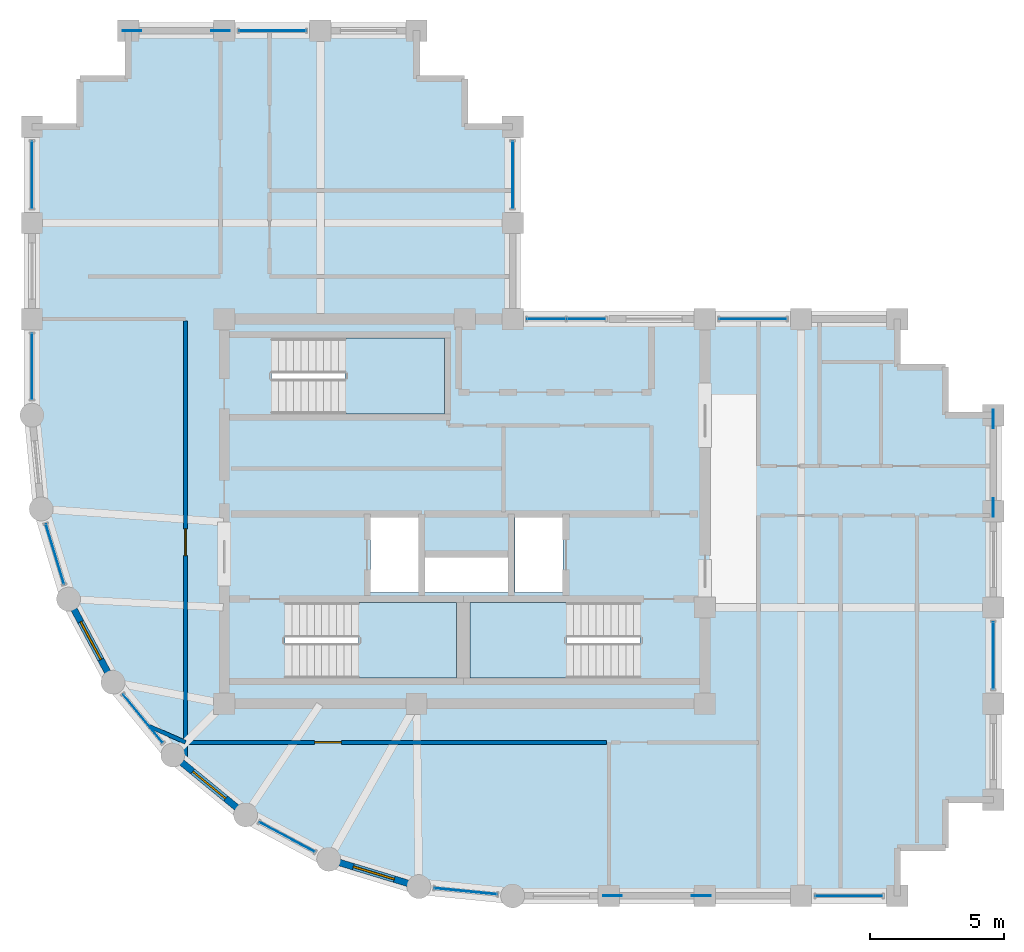
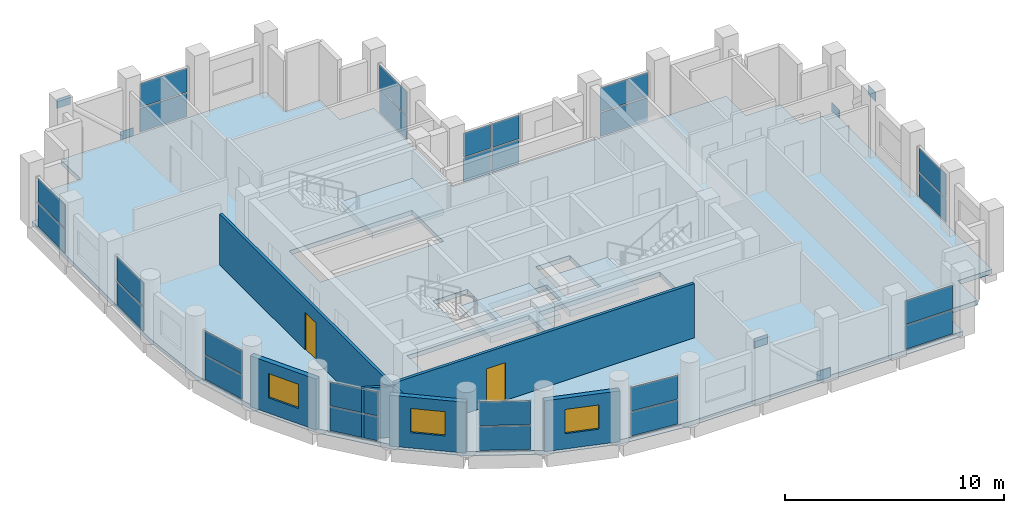
# One storey, part 13 of 17: 32 plates, 6 walls, 4 slabs, 3 windows, 2 doors, 5 openings, 15 elements without a shape of their own.
"""IFC4 building model written with IfcOpenShell, lengths in metres."""

from ifc_helpers import new_model, si_unit, direction, frame, frame_2d, origin, origin_2d, place, context, subcontext, project, spatial, polyline, rectangle, outline, extrude, material, layer, layer_set, type_object, element, fill, aggregate, save


model = new_model("IFC4")

# Units and contexts
model_context = context("Model", 3, precision=1e-05, world=origin(), true_north=direction((0.0, 1.0)))
body_context = subcontext(model_context, "Body", "Model", "MODEL_VIEW")
ifc_project = project(units=[si_unit("LENGTHUNIT", "METRE"), si_unit("AREAUNIT", "SQUARE_METRE"), si_unit("VOLUMEUNIT", "CUBIC_METRE"), si_unit("PLANEANGLEUNIT", "RADIAN"), si_unit("MASSUNIT", "GRAM", prefix="KILO")], contexts=[model_context])

# Site, building, storey
site_placement = place(None, origin())
site = spatial("IfcSite", under=ifc_project, at=site_placement, CompositionType="ELEMENT")
building_placement = place(site_placement, origin())
building = spatial("IfcBuilding", under=site, at=building_placement, Name="Solnavia Interchange Tower", CompositionType="ELEMENT")
storey_placement = place(building_placement, frame((0.0, 0.0, 291.800048828125)))
storey = spatial("IfcBuildingStorey", under=building, at=storey_placement, Name="L74", CompositionType="ELEMENT", Elevation=291.800048828125)

# Curtain wall, plates
ifc_material_1 = material(Name="Aluminium Alloy 6063-T6", Category="aluminium")
ifc_layer_1 = layer(ifc_material_1, 0.219970703125)
ifc_layer_set_1 = layer_set([ifc_layer_1], Name="Aluminium Alloy 6063-T6")
curtain_wall_type = type_object("IfcCurtainWallType", Name="CurtainWall-Tower-CTW3", PredefinedType="NOTDEFINED", material=ifc_layer_set_1)
curtain_wall_1_placement = place(storey_placement, origin())
curtain_wall_1 = element("IfcCurtainWall", 1, at=curtain_wall_1_placement, inside=storey, type_object=curtain_wall_type, Name="CTW-L74-S04 CTW-3 curtain wall", PredefinedType="NOTDEFINED")
ifc_material_2 = material(Name="Double-Glazed Low-E IGU Glass", Category="glass")
ifc_layer_2 = layer(ifc_material_2, 0.02587890625)
ifc_layer_set_2 = layer_set([ifc_layer_2], Name="Double-Glazed Low-E IGU Glass")
plate_type_1 = type_object("IfcPlateType", Name="CW-Panel-LowE-26", PredefinedType="CURTAIN_PANEL", material=ifc_layer_set_2)
plate_1_placement = place(storey_placement, frame((37.800048828125, 3.60009765625, 0.06494140625), z_axis=(0.0, 0.0, 1.0), x_axis=(1.0, 0.0, 0.0)))
plate_1 = element("IfcPlate", 2, at=plate_1_placement, type_object=plate_type_1, Name="CTW-3 panel 1.1", PredefinedType="CURTAIN_PANEL", context=body_context, shape_type="SweptSolid", body=[
    extrude(rectangle(XDim=2.489990234375, YDim=0.02587890625, at=origin_2d()), origin(), (0.0, 0.0, 1.0), 1.3173828125),
])
plate_2_placement = place(storey_placement, frame((37.800048828125, 3.60009765625, 1.447509765625), z_axis=(0.0, 0.0, 1.0), x_axis=(1.0, 0.0, 0.0)))
plate_2 = element("IfcPlate", 3, at=plate_2_placement, type_object=plate_type_1, Name="CTW-3 panel 1.2", PredefinedType="CURTAIN_PANEL", context=body_context, shape_type="SweptSolid", body=[
    extrude(rectangle(XDim=2.489990234375, YDim=0.02587890625, at=origin_2d()), origin(), (0.0, 0.0, 1.0), 1.3173828125),
])
aggregate(curtain_wall_1, [plate_1, plate_2])

curtain_wall_2_placement = place(storey_placement, origin())
curtain_wall_2 = element("IfcCurtainWall", 4, at=curtain_wall_2_placement, inside=storey, type_object=curtain_wall_type, Name="CTW-L74-S10 CTW-3 curtain wall", PredefinedType="NOTDEFINED")
plate_3_placement = place(storey_placement, frame((43.199951171875, 12.60009765625, 0.06494140625), z_axis=(0.0, 0.0, 1.0), x_axis=(0.0, 1.0, 0.0)))
plate_3 = element("IfcPlate", 5, at=plate_3_placement, type_object=plate_type_1, Name="CTW-3 panel 1.1", PredefinedType="CURTAIN_PANEL", context=body_context, shape_type="SweptSolid", body=[
    extrude(rectangle(XDim=2.489990234375, YDim=0.02587890625, at=origin_2d()), origin(), (0.0, 0.0, 1.0), 1.3173828125),
])
plate_4_placement = place(storey_placement, frame((43.199951171875, 12.60009765625, 1.447509765625), z_axis=(0.0, 0.0, 1.0), x_axis=(0.0, 1.0, 0.0)))
plate_4 = element("IfcPlate", 6, at=plate_4_placement, type_object=plate_type_1, Name="CTW-3 panel 1.2", PredefinedType="CURTAIN_PANEL", context=body_context, shape_type="SweptSolid", body=[
    extrude(rectangle(XDim=2.489990234375, YDim=0.02587890625, at=origin_2d()), origin(), (0.0, 0.0, 1.0), 1.3173828125),
])
aggregate(curtain_wall_2, [plate_3, plate_4])

curtain_wall_3_placement = place(storey_placement, origin())
curtain_wall_3 = element("IfcCurtainWall", 7, at=curtain_wall_3_placement, inside=storey, type_object=curtain_wall_type, Name="CTW-L74-S18 CTW-3 curtain wall", PredefinedType="NOTDEFINED")
plate_5_placement = place(storey_placement, frame((34.199951171875, 25.199951171875, 0.06494140625), z_axis=(0.0, 0.0, 1.0), x_axis=(-1.0, 0.0, 0.0)))
plate_5 = element("IfcPlate", 8, at=plate_5_placement, type_object=plate_type_1, Name="CTW-3 panel 1.1", PredefinedType="CURTAIN_PANEL", context=body_context, shape_type="SweptSolid", body=[
    extrude(rectangle(XDim=2.489990234375, YDim=0.02587890625, at=origin_2d()), origin(), (0.0, 0.0, 1.0), 1.3173828125),
])
plate_6_placement = place(storey_placement, frame((34.199951171875, 25.199951171875, 1.447509765625), z_axis=(0.0, 0.0, 1.0), x_axis=(-1.0, 0.0, 0.0)))
plate_6 = element("IfcPlate", 9, at=plate_6_placement, type_object=plate_type_1, Name="CTW-3 panel 1.2", PredefinedType="CURTAIN_PANEL", context=body_context, shape_type="SweptSolid", body=[
    extrude(rectangle(XDim=2.489990234375, YDim=0.02587890625, at=origin_2d()), origin(), (0.0, 0.0, 1.0), 1.3173828125),
])
aggregate(curtain_wall_3, [plate_5, plate_6])

curtain_wall_4_placement = place(storey_placement, origin())
curtain_wall_4 = element("IfcCurtainWall", 10, at=curtain_wall_4_placement, inside=storey, type_object=curtain_wall_type, Name="CTW-L74-S20 CTW-3 curtain wall", PredefinedType="NOTDEFINED")
plate_7_placement = place(storey_placement, frame((27.958740234375, 25.199951171875, 0.06494140625), z_axis=(0.0, 0.0, 1.0), x_axis=(-1.0, 0.0, 0.0)))
plate_7 = element("IfcPlate", 11, at=plate_7_placement, type_object=plate_type_1, Name="CTW-3 panel 1.1", PredefinedType="CURTAIN_PANEL", context=body_context, shape_type="SweptSolid", body=[
    extrude(rectangle(XDim=1.422607421875, YDim=0.02587890625, at=origin_2d()), origin(), (0.0, 0.0, 1.0), 1.3173828125),
])
plate_8_placement = place(storey_placement, frame((27.958740234375, 25.199951171875, 1.447509765625), z_axis=(0.0, 0.0, 1.0), x_axis=(-1.0, 0.0, 0.0)))
plate_8 = element("IfcPlate", 12, at=plate_8_placement, type_object=plate_type_1, Name="CTW-3 panel 1.2", PredefinedType="CURTAIN_PANEL", context=body_context, shape_type="SweptSolid", body=[
    extrude(rectangle(XDim=1.422607421875, YDim=0.02587890625, at=origin_2d()), origin(), (0.0, 0.0, 1.0), 1.3173828125),
])
plate_9_placement = place(storey_placement, frame((26.46630859375, 25.199951171875, 0.06494140625), z_axis=(0.0, 0.0, 1.0), x_axis=(-1.0, 0.0, 0.0)))
plate_9 = element("IfcPlate", 13, at=plate_9_placement, type_object=plate_type_1, Name="CTW-3 panel 2.1", PredefinedType="CURTAIN_PANEL", context=body_context, shape_type="SweptSolid", body=[
    extrude(rectangle(XDim=1.422607421875, YDim=0.02587890625, at=origin_2d()), origin(), (0.0, 0.0, 1.0), 1.3173828125),
])
plate_10_placement = place(storey_placement, frame((26.46630859375, 25.199951171875, 1.447509765625), z_axis=(0.0, 0.0, 1.0), x_axis=(-1.0, 0.0, 0.0)))
plate_10 = element("IfcPlate", 14, at=plate_10_placement, type_object=plate_type_1, Name="CTW-3 panel 2.2", PredefinedType="CURTAIN_PANEL", context=body_context, shape_type="SweptSolid", body=[
    extrude(rectangle(XDim=1.422607421875, YDim=0.02587890625, at=origin_2d()), origin(), (0.0, 0.0, 1.0), 1.3173828125),
])
aggregate(curtain_wall_4, [plate_7, plate_8, plate_9, plate_10])

curtain_wall_5_placement = place(storey_placement, origin())
curtain_wall_5 = element("IfcCurtainWall", 15, at=curtain_wall_5_placement, inside=storey, type_object=curtain_wall_type, Name="CTW-L74-S22 CTW-3 curtain wall", PredefinedType="NOTDEFINED")
plate_11_placement = place(storey_placement, frame((25.199951171875, 30.60009765625, 0.06494140625), z_axis=(0.0, 0.0, 1.0), x_axis=(0.0, 1.0, 0.0)))
plate_11 = element("IfcPlate", 16, at=plate_11_placement, type_object=plate_type_1, Name="CTW-3 panel 1.1", PredefinedType="CURTAIN_PANEL", context=body_context, shape_type="SweptSolid", body=[
    extrude(rectangle(XDim=2.489990234375, YDim=0.02587890625, at=origin_2d()), origin(), (0.0, 0.0, 1.0), 1.3173828125),
])
plate_12_placement = place(storey_placement, frame((25.199951171875, 30.60009765625, 1.447509765625), z_axis=(0.0, 0.0, 1.0), x_axis=(0.0, 1.0, 0.0)))
plate_12 = element("IfcPlate", 17, at=plate_12_placement, type_object=plate_type_1, Name="CTW-3 panel 1.2", PredefinedType="CURTAIN_PANEL", context=body_context, shape_type="SweptSolid", body=[
    extrude(rectangle(XDim=2.489990234375, YDim=0.02587890625, at=origin_2d()), origin(), (0.0, 0.0, 1.0), 1.3173828125),
])
aggregate(curtain_wall_5, [plate_11, plate_12])

curtain_wall_6_placement = place(storey_placement, origin())
curtain_wall_6 = element("IfcCurtainWall", 18, at=curtain_wall_6_placement, inside=storey, type_object=curtain_wall_type, Name="CTW-L74-S28 CTW-3 curtain wall", PredefinedType="NOTDEFINED")
plate_13_placement = place(storey_placement, frame((16.199951171875, 36.0, 0.06494140625), z_axis=(0.0, 0.0, 1.0), x_axis=(-1.0, 0.0, 0.0)))
plate_13 = element("IfcPlate", 19, at=plate_13_placement, type_object=plate_type_1, Name="CTW-3 panel 1.1", PredefinedType="CURTAIN_PANEL", context=body_context, shape_type="SweptSolid", body=[
    extrude(rectangle(XDim=2.489990234375, YDim=0.02587890625, at=origin_2d()), origin(), (0.0, 0.0, 1.0), 1.3173828125),
])
plate_14_placement = place(storey_placement, frame((16.199951171875, 36.0, 1.447509765625), z_axis=(0.0, 0.0, 1.0), x_axis=(-1.0, 0.0, 0.0)))
plate_14 = element("IfcPlate", 20, at=plate_14_placement, type_object=plate_type_1, Name="CTW-3 panel 1.2", PredefinedType="CURTAIN_PANEL", context=body_context, shape_type="SweptSolid", body=[
    extrude(rectangle(XDim=2.489990234375, YDim=0.02587890625, at=origin_2d()), origin(), (0.0, 0.0, 1.0), 1.3173828125),
])
aggregate(curtain_wall_6, [plate_13, plate_14])

curtain_wall_7_placement = place(storey_placement, origin())
curtain_wall_7 = element("IfcCurtainWall", 21, at=curtain_wall_7_placement, inside=storey, type_object=curtain_wall_type, Name="CTW-L74-S34 CTW-3 curtain wall", PredefinedType="NOTDEFINED")
plate_15_placement = place(storey_placement, frame((7.199951171875, 30.60009765625, 0.06494140625), z_axis=(0.0, 0.0, 1.0), x_axis=(0.0, -1.0, 0.0)))
plate_15 = element("IfcPlate", 22, at=plate_15_placement, type_object=plate_type_1, Name="CTW-3 panel 1.1", PredefinedType="CURTAIN_PANEL", context=body_context, shape_type="SweptSolid", body=[
    extrude(rectangle(XDim=2.489990234375, YDim=0.02587890625, at=origin_2d()), origin(), (0.0, 0.0, 1.0), 1.3173828125),
])
plate_16_placement = place(storey_placement, frame((7.199951171875, 30.60009765625, 1.447509765625), z_axis=(0.0, 0.0, 1.0), x_axis=(0.0, -1.0, 0.0)))
plate_16 = element("IfcPlate", 23, at=plate_16_placement, type_object=plate_type_1, Name="CTW-3 panel 1.2", PredefinedType="CURTAIN_PANEL", context=body_context, shape_type="SweptSolid", body=[
    extrude(rectangle(XDim=2.489990234375, YDim=0.02587890625, at=origin_2d()), origin(), (0.0, 0.0, 1.0), 1.3173828125),
])
aggregate(curtain_wall_7, [plate_15, plate_16])

curtain_wall_8_placement = place(storey_placement, origin())
curtain_wall_8 = element("IfcCurtainWall", 24, at=curtain_wall_8_placement, inside=storey, type_object=curtain_wall_type, Name="CTW-L74-S36 CTW-3 curtain wall", PredefinedType="NOTDEFINED")
plate_17_placement = place(storey_placement, frame((7.199951171875, 23.425048828125, 0.06494140625), z_axis=(0.0, 0.0, 1.0), x_axis=(0.0, -1.0, 0.0)))
plate_17 = element("IfcPlate", 25, at=plate_17_placement, type_object=plate_type_1, Name="CTW-3 panel 1.1", PredefinedType="CURTAIN_PANEL", context=body_context, shape_type="SweptSolid", body=[
    extrude(rectangle(XDim=2.43994140625, YDim=0.02587890625, at=origin_2d()), origin(), (0.0, 0.0, 1.0), 1.3173828125),
])
plate_18_placement = place(storey_placement, frame((7.199951171875, 23.425048828125, 1.447509765625), z_axis=(0.0, 0.0, 1.0), x_axis=(0.0, -1.0, 0.0)))
plate_18 = element("IfcPlate", 26, at=plate_18_placement, type_object=plate_type_1, Name="CTW-3 panel 1.2", PredefinedType="CURTAIN_PANEL", context=body_context, shape_type="SweptSolid", body=[
    extrude(rectangle(XDim=2.43994140625, YDim=0.02587890625, at=origin_2d()), origin(), (0.0, 0.0, 1.0), 1.3173828125),
])
aggregate(curtain_wall_8, [plate_17, plate_18])

curtain_wall_9_placement = place(storey_placement, origin())
curtain_wall_9 = element("IfcCurtainWall", 27, at=curtain_wall_9_placement, inside=storey, type_object=curtain_wall_type, Name="CTW-L74-S38 CTW-3 curtain wall", PredefinedType="NOTDEFINED")
plate_19_placement = place(storey_placement, frame((8.05810546875, 16.39990234375, 0.06494140625), z_axis=(0.0, 0.0, 1.0), x_axis=(0.290258074897, -0.956948405065, 0.0)))
plate_19 = element("IfcPlate", 28, at=plate_19_placement, type_object=plate_type_1, Name="CTW-3 panel 1.1", PredefinedType="CURTAIN_PANEL", context=body_context, shape_type="SweptSolid", body=[
    extrude(rectangle(XDim=2.31787109375, YDim=0.02587890625, at=origin_2d()), origin(), (0.0, 0.0, 1.0), 1.3173828125),
])
plate_20_placement = place(storey_placement, frame((8.05810546875, 16.39990234375, 1.447509765625), z_axis=(0.0, 0.0, 1.0), x_axis=(0.290258074897, -0.956948405065, 0.0)))
plate_20 = element("IfcPlate", 29, at=plate_20_placement, type_object=plate_type_1, Name="CTW-3 panel 1.2", PredefinedType="CURTAIN_PANEL", context=body_context, shape_type="SweptSolid", body=[
    extrude(rectangle(XDim=2.31787109375, YDim=0.02587890625, at=origin_2d()), origin(), (0.0, 0.0, 1.0), 1.3173828125),
])
aggregate(curtain_wall_9, [plate_19, plate_20])

curtain_wall_10_placement = place(storey_placement, origin())
curtain_wall_10 = element("IfcCurtainWall", 30, at=curtain_wall_10_placement, inside=storey, type_object=curtain_wall_type, Name="CTW-L74-S40 CTW-3 curtain wall", PredefinedType="NOTDEFINED")
plate_21_placement = place(storey_placement, frame((11.35302734375, 10.236083984375, 0.06494140625), z_axis=(0.0, 0.0, 1.0), x_axis=(0.634260514326, -0.773119395674, 0.0)))
plate_21 = element("IfcPlate", 31, at=plate_21_placement, type_object=plate_type_1, Name="CTW-3 panel 1.1", PredefinedType="CURTAIN_PANEL", context=body_context, shape_type="SweptSolid", body=[
    extrude(rectangle(XDim=2.318603515625, YDim=0.02587890625, at=origin_2d()), origin(), (0.0, 0.0, 1.0), 1.3173828125),
])
plate_22_placement = place(storey_placement, frame((11.35302734375, 10.236083984375, 1.447509765625), z_axis=(0.0, 0.0, 1.0), x_axis=(0.634260514326, -0.773119395674, 0.0)))
plate_22 = element("IfcPlate", 32, at=plate_22_placement, type_object=plate_type_1, Name="CTW-3 panel 1.2", PredefinedType="CURTAIN_PANEL", context=body_context, shape_type="SweptSolid", body=[
    extrude(rectangle(XDim=2.318603515625, YDim=0.02587890625, at=origin_2d()), origin(), (0.0, 0.0, 1.0), 1.3173828125),
])
aggregate(curtain_wall_10, [plate_21, plate_22])

curtain_wall_11_placement = place(storey_placement, origin())
curtain_wall_11 = element("IfcCurtainWall", 33, at=curtain_wall_11_placement, inside=storey, type_object=curtain_wall_type, Name="CTW-L74-S42 CTW-3 curtain wall", PredefinedType="NOTDEFINED")
plate_23_placement = place(storey_placement, frame((16.756103515625, 5.802001953125, 0.06494140625), z_axis=(0.0, 0.0, 1.0), x_axis=(0.881859366806, -0.4715125207, 0.0)))
plate_23 = element("IfcPlate", 34, at=plate_23_placement, type_object=plate_type_1, Name="CTW-3 panel 1.1", PredefinedType="CURTAIN_PANEL", context=body_context, shape_type="SweptSolid", body=[
    extrude(rectangle(XDim=2.31884765625, YDim=0.02587890625, at=origin_2d()), origin(), (0.0, 0.0, 1.0), 1.3173828125),
])
plate_24_placement = place(storey_placement, frame((16.756103515625, 5.802001953125, 1.447509765625), z_axis=(0.0, 0.0, 1.0), x_axis=(0.881859366806, -0.4715125207, 0.0)))
plate_24 = element("IfcPlate", 35, at=plate_24_placement, type_object=plate_type_1, Name="CTW-3 panel 1.2", PredefinedType="CURTAIN_PANEL", context=body_context, shape_type="SweptSolid", body=[
    extrude(rectangle(XDim=2.31884765625, YDim=0.02587890625, at=origin_2d()), origin(), (0.0, 0.0, 1.0), 1.3173828125),
])
aggregate(curtain_wall_11, [plate_23, plate_24])

curtain_wall_12_placement = place(storey_placement, origin())
curtain_wall_12 = element("IfcCurtainWall", 36, at=curtain_wall_12_placement, inside=storey, type_object=curtain_wall_type, Name="CTW-L74-S44 CTW-3 curtain wall", PredefinedType="NOTDEFINED")
plate_25_placement = place(storey_placement, frame((23.444091796875, 3.77294921875, 0.06494140625), z_axis=(0.0, 0.0, 1.0), x_axis=(0.99518584375, -0.098005797786, 0.0)))
plate_25 = element("IfcPlate", 37, at=plate_25_placement, type_object=plate_type_1, Name="CTW-3 panel 1.1", PredefinedType="CURTAIN_PANEL", context=body_context, shape_type="SweptSolid", body=[
    extrude(rectangle(XDim=2.319091796875, YDim=0.02587890625, at=origin_2d()), origin(), (0.0, 0.0, 1.0), 1.3173828125),
])
plate_26_placement = place(storey_placement, frame((23.444091796875, 3.77294921875, 1.447509765625), z_axis=(0.0, 0.0, 1.0), x_axis=(0.99518584375, -0.098005797786, 0.0)))
plate_26 = element("IfcPlate", 38, at=plate_26_placement, type_object=plate_type_1, Name="CTW-3 panel 1.2", PredefinedType="CURTAIN_PANEL", context=body_context, shape_type="SweptSolid", body=[
    extrude(rectangle(XDim=2.319091796875, YDim=0.02587890625, at=origin_2d()), origin(), (0.0, 0.0, 1.0), 1.3173828125),
])
aggregate(curtain_wall_12, [plate_25, plate_26])

# Plates
ifc_material_3 = material(Name="Steel S460", Category="steel")
ifc_layer_3 = layer(ifc_material_3, 0.030029296875)
ifc_layer_set_3 = layer_set([ifc_layer_3], Name="Steel S460")
plate_type_2 = type_object("IfcPlateType", Name="Plate-Gusset-700x520x30", PredefinedType="USERDEFINED", material=ifc_layer_set_3)
for number, where, z_axis, x_axis, name in (
    (39, (32.260009765625, 3.60009765625, -0.080078125), (0.0, 0.0, 1.0), (-1.0, 0.0, 0.0), "PLT-L74-GP01 Perimeter brace gusset plate"),
    (40, (28.93994140625, 3.60009765625, 2.909912109375), (0.0, 0.0, 1.0), (-1.0, 0.0, 0.0), "PLT-L74-GP02 Perimeter brace gusset plate"),
    (41, (43.199951171875, 21.4599609375, -0.080078125), (0.0, 0.0, 1.0), (0.0, -1.0, 0.0), "PLT-L74-GP03 Perimeter brace gusset plate"),
    (42, (43.199951171875, 18.139892578125, 2.909912109375), (0.0, 0.0, 1.0), (0.0, -1.0, 0.0), "PLT-L74-GP04 Perimeter brace gusset plate"),
    (43, (14.260009765625, 36.0, -0.080078125), (0.0, 0.0, 1.0), (-1.0, 0.0, 0.0), "PLT-L74-GP05 Perimeter brace gusset plate"),
    (44, (10.93994140625, 36.0, 2.909912109375), (0.0, 0.0, 1.0), (-1.0, 0.0, 0.0), "PLT-L74-GP06 Perimeter brace gusset plate"),
):
    element("IfcPlate", number, at=place(storey_placement, frame(where, z_axis=z_axis, x_axis=x_axis)), inside=storey, type_object=plate_type_2, Name=name, ObjectType="GUSSET PLATE", PredefinedType="USERDEFINED", context=body_context, shape_type="SweptSolid", body=[
        extrude(rectangle(XDim=0.699951171875, YDim=0.030029296875, at=origin_2d()), origin(), (0.0, 0.0, 1.0), 0.52001953125),
    ])

# Stair, slab
ifc_material_4 = material(Name="Concrete C40/50", Category="concrete")
stair_type = type_object("IfcStairType", Name="Stair-Dogleg-RC", PredefinedType="HALF_TURN_STAIR", material=ifc_material_4)
stair_1_placement = place(storey_placement, origin())
stair_1 = element("IfcStair", 45, at=stair_1_placement, inside=storey, type_object=stair_type, Name="L74 Core exit stair 1", PredefinedType="HALF_TURN_STAIR")
ifc_layer_4 = layer(ifc_material_4, 0.35009765625)
ifc_layer_set_4 = layer_set([ifc_layer_4], Name="Concrete C40/50")
slab_type_1 = type_object("IfcSlabType", Name="Slab-StairLanding-350", PredefinedType="LANDING", material=ifc_layer_set_4)
slab_1_placement = place(storey_placement, frame((0.0, 0.0, 1.449951171875)))
slab_1 = element("IfcSlab", 46, at=slab_1_placement, type_object=slab_type_1, Name="ST-1 landing 1", PredefinedType="LANDING", context=body_context, shape_type="SweptSolid", body=[
    extrude(outline(polyline([(19.427978515625, 11.75), (23.10009765625, 11.75), (23.10009765625, 14.590087890625), (19.427978515625, 14.590087890625), (19.427978515625, 11.75)])), origin(), (0.0, 0.0, 1.0), 0.35009765625),
])
aggregate(stair_1, [slab_1])

stair_2_placement = place(storey_placement, origin())
stair_2 = element("IfcStair", 47, at=stair_2_placement, inside=storey, type_object=stair_type, Name="L74 Core exit stair 2", PredefinedType="HALF_TURN_STAIR")
slab_2_placement = place(storey_placement, frame((0.0, 0.0, 1.449951171875)))
slab_2 = element("IfcSlab", 48, at=slab_2_placement, type_object=slab_type_1, Name="ST-2 landing 1", PredefinedType="LANDING", context=body_context, shape_type="SweptSolid", body=[
    extrude(outline(polyline([(23.60009765625, 11.75), (27.221923828125, 11.75), (27.221923828125, 14.590087890625), (23.60009765625, 14.590087890625), (23.60009765625, 11.75)])), origin(), (0.0, 0.0, 1.0), 0.35009765625),
])
aggregate(stair_2, [slab_2])

stair_3_placement = place(storey_placement, origin())
stair_3 = element("IfcStair", 49, at=stair_3_placement, inside=storey, type_object=stair_type, Name="L74 Core exit stair 3", PredefinedType="HALF_TURN_STAIR")
slab_3_placement = place(storey_placement, frame((0.0, 0.0, 1.449951171875)))
slab_3 = element("IfcSlab", 50, at=slab_3_placement, type_object=slab_type_1, Name="ST-3 landing 1", PredefinedType="LANDING", context=body_context, shape_type="SweptSolid", body=[
    extrude(outline(polyline([(18.927978515625, 21.64990234375), (22.64990234375, 21.64990234375), (22.64990234375, 24.489990234375), (18.927978515625, 24.489990234375), (18.927978515625, 21.64990234375)])), origin(), (0.0, 0.0, 1.0), 0.35009765625),
])
aggregate(stair_3, [slab_3])

# Slab
ifc_layer_5 = layer(ifc_material_4, 0.25)
ifc_layer_set_5 = layer_set([ifc_layer_5], Name="Concrete C40/50")
slab_type_2 = type_object("IfcSlabType", Name="Slab-Tower-250", PredefinedType="FLOOR", material=ifc_layer_set_5)
slab_4_placement = place(storey_placement, frame((0.0, 0.0, -0.25)))
element("IfcSlab", 51, at=slab_4_placement, inside=storey, type_object=slab_type_2, Name="SLB-L74-01 Structural floor slab", PredefinedType="FLOOR", context=body_context, shape_type="SweptSolid", body=[
    extrude(outline(polyline([(25.199951171875, 3.60009765625), (39.60009765625, 3.60009765625), (39.60009765625, 5.39990234375), (41.39990234375, 5.39990234375), (41.39990234375, 7.199951171875), (43.199951171875, 7.199951171875), (43.199951171875, 21.60009765625), (41.39990234375, 21.60009765625), (41.39990234375, 23.39990234375), (39.60009765625, 23.39990234375), (39.60009765625, 25.199951171875), (25.199951171875, 25.199951171875), (25.199951171875, 32.39990234375), (23.39990234375, 32.39990234375), (23.39990234375, 34.199951171875), (21.60009765625, 34.199951171875), (21.60009765625, 36.0), (10.800048828125, 36.0), (10.800048828125, 34.199951171875), (9.0, 34.199951171875), (9.0, 32.39990234375), (7.199951171875, 32.39990234375), (7.199951171875, 21.60009765625), (7.5458984375, 18.087890625), (8.570068359375, 14.7119140625), (10.23388671875, 11.60009765625), (12.471923828125, 8.8720703125), (15.199951171875, 6.634033203125), (18.31201171875, 4.969970703125), (21.68798828125, 3.946044921875), (25.199951171875, 3.60009765625)]), holes=[polyline([(16.675048828125, 11.75), (23.10009765625, 11.75), (23.10009765625, 14.590087890625), (16.675048828125, 14.590087890625), (16.675048828125, 11.75)]), polyline([(23.60009765625, 11.75), (29.97509765625, 11.75), (29.97509765625, 14.590087890625), (23.60009765625, 14.590087890625), (23.60009765625, 11.75)]), polyline([(16.175048828125, 21.64990234375), (22.64990234375, 21.64990234375), (22.64990234375, 24.489990234375), (16.175048828125, 24.489990234375), (16.175048828125, 21.64990234375)]), polyline([(19.8798828125, 14.9599609375), (21.679931640625, 14.9599609375), (21.679931640625, 17.780029296875), (19.8798828125, 17.780029296875), (19.8798828125, 14.9599609375)]), polyline([(25.280029296875, 14.9599609375), (27.080078125, 14.9599609375), (27.080078125, 17.780029296875), (25.280029296875, 17.780029296875), (25.280029296875, 14.9599609375)]), polyline([(21.919921875, 14.9599609375), (25.02001953125, 14.9599609375), (25.02001953125, 16.280029296875), (21.919921875, 16.280029296875), (21.919921875, 14.9599609375)])]), origin(), (0.0, 0.0, 1.0), 0.25),
])

# Wall, opening, window
ifc_layer_6 = layer(ifc_material_4, 0.25)
ifc_layer_set_6 = layer_set([ifc_layer_6], Name="Concrete C40/50")
wall_type_1 = type_object("IfcWallType", Name="Wall-ExtSpandrel-250", PredefinedType="STANDARD", material=ifc_layer_set_6)
wall_1_placement = place(storey_placement, frame((10.23388671875, 11.60009765625, 0.0), z_axis=(0.0, 0.0, 1.0), x_axis=(-0.47151087309, 0.881860247748, 0.0)))
wall_1 = element("IfcWall", 52, at=wall_1_placement, inside=storey, type_object=wall_type_1, Name="EXW-L74-39 Exterior precast spandrel wall", PredefinedType="STANDARD", context=body_context, shape_type="SweptSolid", body=[
    extrude(rectangle(XDim=3.52880859375, YDim=0.25, at=frame_2d((1.764404296875, 0.0))), origin(), (0.0, 0.0, 1.0), 2.829833984375),
])
opening_1_placement = place(wall_1_placement, frame((0.964111328125, 0.0, 0.85009765625)))
opening_1 = element("IfcOpeningElement", 53, at=opening_1_placement, cuts=wall_1, Name="Opening WIN-04", PredefinedType="OPENING", context=body_context, shape_type="SweptSolid", body=[
    extrude(rectangle(XDim=1.60009765625, YDim=1.35009765625, at=frame_2d((0.800048828125, 0.675048828125))), frame((0.0, 0.135009765625, 0.0), z_axis=(0.0, -1.0, 0.0), x_axis=(1.0, 0.0, 0.0)), (0.0, 0.0, 1.0), 0.27001953125),
])
ifc_material_5 = material(Name="Thermal-Break Aluminium & Low-E Glass", Category="aluminium")
window_type = type_object("IfcWindowType", Name="Window-Drum-1600x1350", PartitioningType="SINGLE_PANEL", PredefinedType="WINDOW", material=ifc_material_5)
window_1_placement = place(opening_1_placement, origin())
window_1 = element("IfcWindow", 54, at=window_1_placement, inside=storey, type_object=window_type, Name="WIN-L74-39 Facade ribbon window", OverallHeight=1.35009765625, OverallWidth=1.60009765625, PartitioningType="SINGLE_PANEL", PredefinedType="WINDOW", context=body_context, shape_type="SweptSolid", body=[
    extrude(rectangle(XDim=1.60009765625, YDim=1.35009765625, at=frame_2d((0.800048828125, 0.675048828125))), frame((0.0, 0.030029296875, 0.0), z_axis=(0.0, -1.0, 0.0), x_axis=(1.0, 0.0, 0.0)), (0.0, 0.0, 1.0), 0.06005859375),
])
fill(opening_1, window_1)

wall_2_placement = place(storey_placement, frame((15.199951171875, 6.634033203125, 0.0), z_axis=(0.0, 0.0, 1.0), x_axis=(-0.773121216285, 0.634258295121, 0.0)))
wall_2 = element("IfcWall", 55, at=wall_2_placement, inside=storey, type_object=wall_type_1, Name="EXW-L74-41 Exterior precast spandrel wall", PredefinedType="STANDARD", context=body_context, shape_type="SweptSolid", body=[
    extrude(rectangle(XDim=3.528564453125, YDim=0.25, at=frame_2d((1.76416015625, 0.0))), origin(), (0.0, 0.0, 1.0), 2.829833984375),
])
opening_2_placement = place(wall_2_placement, frame((0.964111328125, 0.0, 0.85009765625)))
opening_2 = element("IfcOpeningElement", 56, at=opening_2_placement, cuts=wall_2, Name="Opening WIN-04", PredefinedType="OPENING", context=body_context, shape_type="SweptSolid", body=[
    extrude(rectangle(XDim=1.60009765625, YDim=1.35009765625, at=frame_2d((0.800048828125, 0.675048828125))), frame((0.0, 0.135009765625, 0.0), z_axis=(0.0, -1.0, 0.0), x_axis=(1.0, 0.0, 0.0)), (0.0, 0.0, 1.0), 0.27001953125),
])
window_2_placement = place(opening_2_placement, origin())
window_2 = element("IfcWindow", 57, at=window_2_placement, inside=storey, type_object=window_type, Name="WIN-L74-41 Facade ribbon window", OverallHeight=1.35009765625, OverallWidth=1.60009765625, PartitioningType="SINGLE_PANEL", PredefinedType="WINDOW", context=body_context, shape_type="SweptSolid", body=[
    extrude(rectangle(XDim=1.60009765625, YDim=1.35009765625, at=frame_2d((0.800048828125, 0.675048828125))), frame((0.0, 0.030029296875, 0.0), z_axis=(0.0, -1.0, 0.0), x_axis=(1.0, 0.0, 0.0)), (0.0, 0.0, 1.0), 0.06005859375),
])
fill(opening_2, window_2)

wall_3_placement = place(storey_placement, frame((21.68798828125, 3.946044921875, 0.0), z_axis=(0.0, 0.0, 1.0), x_axis=(-0.956953367403, 0.290241714123, 0.0)))
wall_3 = element("IfcWall", 58, at=wall_3_placement, inside=storey, type_object=wall_type_1, Name="EXW-L74-43 Exterior precast spandrel wall", PredefinedType="STANDARD", context=body_context, shape_type="SweptSolid", body=[
    extrude(rectangle(XDim=3.52783203125, YDim=0.25, at=frame_2d((1.763916015625, 0.0))), origin(), (0.0, 0.0, 1.0), 2.829833984375),
])
opening_3_placement = place(wall_3_placement, frame((0.964111328125, 0.0, 0.85009765625)))
opening_3 = element("IfcOpeningElement", 59, at=opening_3_placement, cuts=wall_3, Name="Opening WIN-04", PredefinedType="OPENING", context=body_context, shape_type="SweptSolid", body=[
    extrude(rectangle(XDim=1.60009765625, YDim=1.35009765625, at=frame_2d((0.800048828125, 0.675048828125))), frame((0.0, 0.135009765625, 0.0), z_axis=(0.0, -1.0, 0.0), x_axis=(1.0, 0.0, 0.0)), (0.0, 0.0, 1.0), 0.27001953125),
])
window_3_placement = place(opening_3_placement, origin())
window_3 = element("IfcWindow", 60, at=window_3_placement, inside=storey, type_object=window_type, Name="WIN-L74-43 Facade ribbon window", OverallHeight=1.35009765625, OverallWidth=1.60009765625, PartitioningType="SINGLE_PANEL", PredefinedType="WINDOW", context=body_context, shape_type="SweptSolid", body=[
    extrude(rectangle(XDim=1.60009765625, YDim=1.35009765625, at=frame_2d((0.800048828125, 0.675048828125))), frame((0.0, 0.030029296875, 0.0), z_axis=(0.0, -1.0, 0.0), x_axis=(1.0, 0.0, 0.0)), (0.0, 0.0, 1.0), 0.06005859375),
])
fill(opening_3, window_3)

# Wall
ifc_material_6 = material(Name="Gypsum Plasterboard & Steel Stud", Category="steel")
ifc_layer_7 = layer(ifc_material_6, 0.14990234375)
ifc_layer_set_7 = layer_set([ifc_layer_7], Name="Gypsum Plasterboard & Steel Stud")
wall_type_2 = type_object("IfcWallType", Name="Wall-Partition-150", PredefinedType="PARTITIONING", material=ifc_layer_set_7)
wall_4_placement = place(storey_placement, frame((12.949951171875, 9.35009765625, 0.0), z_axis=(0.0, 0.0, 1.0), x_axis=(-0.914773794999, 0.403966463934, 0.0)))
element("IfcWall", 61, at=wall_4_placement, inside=storey, type_object=wall_type_2, Name="PTW-L74-09 Interior partition wall", PredefinedType="PARTITIONING", context=body_context, shape_type="SweptSolid", body=[
    extrude(rectangle(XDim=1.4921875, YDim=0.14990234375, at=frame_2d((0.74609375, 0.0))), origin(), (0.0, 0.0, 1.0), 2.829833984375),
])

# Wall, opening, door
wall_5_placement = place(storey_placement, frame((12.949951171875, 8.60888671875, 0.0), z_axis=(0.0, 0.0, 1.0), x_axis=(0.0, 1.0, 0.0)))
wall_5 = element("IfcWall", 62, at=wall_5_placement, inside=storey, type_object=wall_type_2, Name="PTW-L74-10 Interior partition wall", PredefinedType="PARTITIONING", context=body_context, shape_type="SweptSolid", body=[
    extrude(rectangle(XDim=16.51220703125, YDim=0.14990234375, at=frame_2d((8.256103515625, 0.0))), origin(), (0.0, 0.0, 1.0), 2.829833984375),
])
opening_4_placement = place(wall_5_placement, frame((7.73095703125, 0.0, 0.0)))
opening_4 = element("IfcOpeningElement", 63, at=opening_4_placement, cuts=wall_5, Name="Opening DR-07", PredefinedType="OPENING", context=body_context, shape_type="SweptSolid", body=[
    extrude(rectangle(XDim=1.0, YDim=2.10009765625, at=frame_2d((0.5, 1.050048828125))), frame((0.0, 0.0849609375, 0.0), z_axis=(0.0, -1.0, 0.0), x_axis=(1.0, 0.0, 0.0)), (0.0, 0.0, 1.0), 0.169921875),
])
ifc_material_7 = material(Name="Timber & Acoustic Glazed Office Door", Category="wood")
door_type = type_object("IfcDoorType", Name="Door-Office-1000x2100", OperationType="SINGLE_SWING_RIGHT", PredefinedType="DOOR", material=ifc_material_7)
door_1_placement = place(opening_4_placement, origin())
door_1 = element("IfcDoor", 64, at=door_1_placement, inside=storey, type_object=door_type, Name="DR-L74-03 Interior room door", OperationType="SINGLE_SWING_LEFT", OverallHeight=2.10009765625, OverallWidth=1.0, PredefinedType="DOOR", context=body_context, shape_type="SweptSolid", body=[
    extrude(rectangle(XDim=1.0, YDim=2.10009765625, at=frame_2d((0.5, 1.050048828125))), frame((0.0, 0.02490234375, 0.0), z_axis=(0.0, -1.0, 0.0), x_axis=(1.0, 0.0, 0.0)), (0.0, 0.0, 1.0), 0.050048828125),
])
fill(opening_4, door_1)

wall_6_placement = place(storey_placement, frame((12.949951171875, 9.35009765625, 0.0), z_axis=(0.0, 0.0, 1.0), x_axis=(1.0, 0.0, 0.0)))
wall_6 = element("IfcWall", 65, at=wall_6_placement, inside=storey, type_object=wall_type_2, Name="PTW-L74-11 Interior partition wall", PredefinedType="PARTITIONING", context=body_context, shape_type="SweptSolid", body=[
    extrude(rectangle(XDim=15.77099609375, YDim=0.14990234375, at=frame_2d((7.885498046875, 0.0))), origin(), (0.0, 0.0, 1.0), 3.02001953125),
])
opening_5_placement = place(wall_6_placement, frame((4.8359375, 0.0, 0.0)))
opening_5 = element("IfcOpeningElement", 66, at=opening_5_placement, cuts=wall_6, Name="Opening DR-07", PredefinedType="OPENING", context=body_context, shape_type="SweptSolid", body=[
    extrude(rectangle(XDim=1.0, YDim=2.10009765625, at=frame_2d((0.5, 1.050048828125))), frame((0.0, 0.0849609375, 0.0), z_axis=(0.0, -1.0, 0.0), x_axis=(1.0, 0.0, 0.0)), (0.0, 0.0, 1.0), 0.169921875),
])
door_2_placement = place(opening_5_placement, origin())
door_2 = element("IfcDoor", 67, at=door_2_placement, inside=storey, type_object=door_type, Name="DR-L74-04 Interior room door", OperationType="SINGLE_SWING_RIGHT", OverallHeight=2.10009765625, OverallWidth=1.0, PredefinedType="DOOR", context=body_context, shape_type="SweptSolid", body=[
    extrude(rectangle(XDim=1.0, YDim=2.10009765625, at=frame_2d((0.5, 1.050048828125))), frame((0.0, 0.02490234375, 0.0), z_axis=(0.0, -1.0, 0.0), x_axis=(1.0, 0.0, 0.0)), (0.0, 0.0, 1.0), 0.050048828125),
])
fill(opening_5, door_2)

save(model, "model.ifc")
